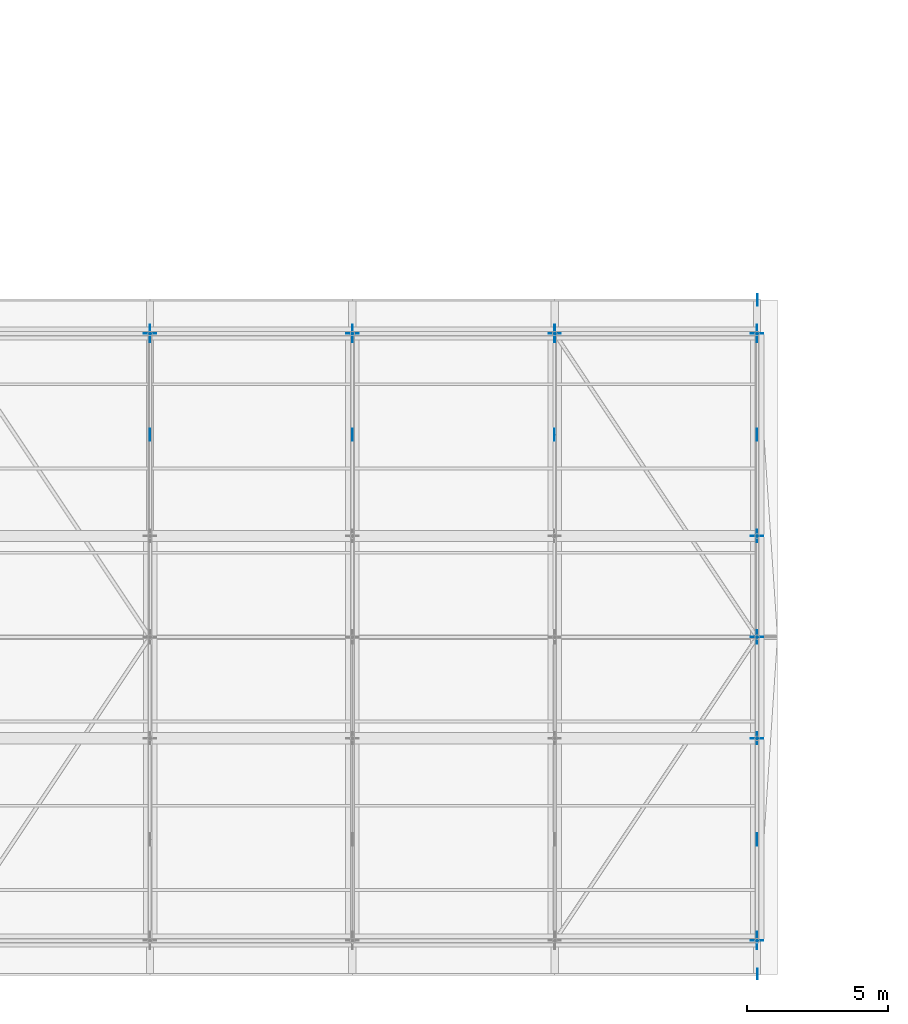
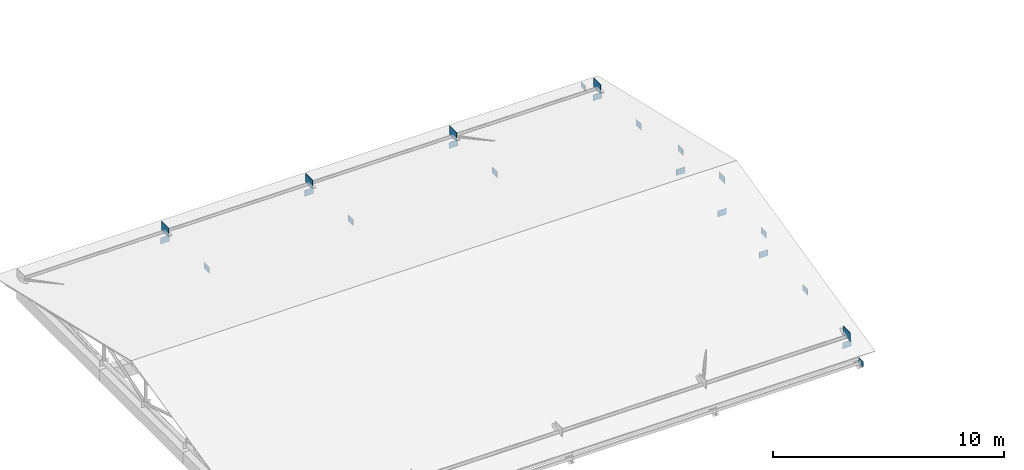
# One storey, part 66 of 84: 23 plates.
"""IFC4 building model written with IfcOpenShell, lengths in metres."""

from ifc_helpers import new_model, si_unit, direction, frame, origin, origin_2d, place, context, subcontext, project, spatial, rectangle, extrude, material, layer, layer_set, type_object, element, save


model = new_model("IFC4")

# Units and contexts
model_context = context("Model", 3, precision=1e-05, world=origin(), true_north=direction((0.0, 1.0)))
body_context = subcontext(model_context, "Body", "Model", "MODEL_VIEW")
ifc_project = project(units=[si_unit("LENGTHUNIT", "METRE"), si_unit("AREAUNIT", "SQUARE_METRE"), si_unit("VOLUMEUNIT", "CUBIC_METRE"), si_unit("PLANEANGLEUNIT", "RADIAN"), si_unit("MASSUNIT", "GRAM", prefix="KILO")], contexts=[model_context])

# Site, building, storey
site_placement = place(None, origin())
site = spatial("IfcSite", under=ifc_project, at=site_placement, CompositionType="ELEMENT")
building_placement = place(site_placement, origin())
building = spatial("IfcBuilding", under=site, at=building_placement, Name="Zornivar Specialist Clinic", CompositionType="ELEMENT")
storey_placement = place(building_placement, frame((0.0, 0.0, 12.300048828125)))
storey = spatial("IfcBuildingStorey", under=building, at=storey_placement, Name="L03", CompositionType="ELEMENT", Elevation=12.300048828125)

# Plates
ifc_material_1 = material(Name="Steel S355J2", Category="steel")
ifc_layer_1 = layer(ifc_material_1, 0.01611328125)
ifc_layer_set_1 = layer_set([ifc_layer_1], Name="Steel S355J2")
plate_type_1 = type_object("IfcPlateType", Name="PL-END-16", PredefinedType="USERDEFINED", material=ifc_layer_set_1)
for number, where, z_axis, x_axis, name in (
    (1, (86.407958984375, -1.199951171875, -0.43603515625), (0.0, 0.0, 1.0), (1.0, 0.0, 0.0), "plate:V3:L03:ecapE:00"),
    (2, (86.407958984375, 22.800048828125, -0.43603515625), (0.0, 0.0, 1.0), (1.0, 0.0, 0.0), "plate:V3:L03:ecapE:08"),
):
    element("IfcPlate", number, at=place(storey_placement, frame(where, z_axis=z_axis, x_axis=x_axis)), inside=storey, type_object=plate_type_1, Name=name, ObjectType="END PLATE", PredefinedType="USERDEFINED", context=body_context, shape_type="SweptSolid", body=[
        extrude(rectangle(XDim=0.01611328125, YDim=0.39990234375, at=origin_2d()), origin(), (0.0, 0.0, 1.0), 0.280029296875),
    ])
ifc_material_2 = material(Name="Steel S355J2", Category="steel")
ifc_layer_2 = layer(ifc_material_2, 0.02197265625)
ifc_layer_set_2 = layer_set([ifc_layer_2], Name="Steel S355J2")
plate_type_2 = type_object("IfcPlateType", Name="PL-GUSSET-HEEL-22", PredefinedType="USERDEFINED", material=ifc_layer_set_2)
for number, where, z_axis, x_axis, name in (
    (3, (64.800048828125, 21.60009765625, 0.27001953125), (0.0, 0.0, 1.0), (1.0, 0.0, 0.0), "plate:V3:L03:heel:1:N"),
    (4, (72.0, 21.60009765625, 0.27001953125), (0.0, 0.0, 1.0), (1.0, 0.0, 0.0), "plate:V3:L03:heel:2:N"),
    (5, (79.199951171875, 21.60009765625, 0.27001953125), (0.0, 0.0, 1.0), (1.0, 0.0, 0.0), "plate:V3:L03:heel:3:N"),
    (6, (86.39990234375, 0.0, 0.27001953125), (0.0, 0.0, 1.0), (1.0, 0.0, 0.0), "plate:V3:L03:heel:4:S"),
    (7, (86.39990234375, 21.60009765625, 0.27001953125), (0.0, 0.0, 1.0), (1.0, 0.0, 0.0), "plate:V3:L03:heel:4:N"),
):
    element("IfcPlate", number, at=place(storey_placement, frame(where, z_axis=z_axis, x_axis=x_axis)), inside=storey, type_object=plate_type_2, Name=name, ObjectType="GUSSET PLATE", PredefinedType="USERDEFINED", context=body_context, shape_type="SweptSolid", body=[
        extrude(rectangle(XDim=0.02197265625, YDim=0.6201171875, at=origin_2d()), origin(), (0.0, 0.0, 1.0), 0.43994140625),
    ])
ifc_material_3 = material(Name="Steel S355J2", Category="steel")
ifc_layer_3 = layer(ifc_material_3, 0.02001953125)
ifc_layer_set_3 = layer_set([ifc_layer_3], Name="Steel S355J2")
plate_type_3 = type_object("IfcPlateType", Name="PL-GUSSET-NODE-20", PredefinedType="USERDEFINED", material=ifc_layer_set_3)
plate_placement = place(storey_placement, frame((86.39990234375, 10.800048828125, 1.98974609375), z_axis=(0.0, 0.0, 1.0), x_axis=(1.0, 0.0, 0.0)))
element("IfcPlate", 8, at=plate_placement, inside=storey, type_object=plate_type_3, Name="plate:V3:L03:ridge:4", ObjectType="GUSSET PLATE", PredefinedType="USERDEFINED", context=body_context, shape_type="SweptSolid", body=[
    extrude(rectangle(XDim=0.02001953125, YDim=0.47998046875, at=origin_2d()), origin(), (0.0, 0.0, 1.0), 0.360107421875),
])
ifc_material_4 = material(Name="Steel S355J2", Category="steel")
ifc_layer_4 = layer(ifc_material_4, 0.01806640625)
ifc_layer_set_4 = layer_set([ifc_layer_4], Name="Steel S355J2")
plate_type_4 = type_object("IfcPlateType", Name="PL-GUSSET-V4-18", PredefinedType="USERDEFINED", material=ifc_layer_set_4)
for number, where, z_axis, x_axis, name in (
    (9, (64.800048828125, 21.60009765625, -0.240234375), (0.0, 0.0, 1.0), (1.0, 0.0, 0.0), "plate:bnode:L03:164"),
    (10, (64.800048828125, 18.0, 0.44970703125), (0.0, 0.0, 1.0), (0.0, 1.0, 0.0), "plate:bnode:L03:171"),
    (11, (72.0, 21.60009765625, -0.240234375), (0.0, 0.0, 1.0), (1.0, 0.0, 0.0), "plate:bnode:L03:173"),
    (12, (72.0, 18.0, 0.44970703125), (0.0, 0.0, 1.0), (0.0, 1.0, 0.0), "plate:bnode:L03:180"),
    (13, (79.199951171875, 21.60009765625, -0.240234375), (0.0, 0.0, 1.0), (1.0, 0.0, 0.0), "plate:bnode:L03:182"),
    (14, (79.199951171875, 18.0, 0.44970703125), (0.0, 0.0, 1.0), (0.0, 1.0, 0.0), "plate:bnode:L03:189"),
    (15, (86.39990234375, 0.0, -0.240234375), (0.0, 0.0, 1.0), (1.0, 0.0, 0.0), "plate:bnode:L03:190"),
    (16, (86.39990234375, 21.60009765625, -0.240234375), (0.0, 0.0, 1.0), (1.0, 0.0, 0.0), "plate:bnode:L03:191"),
    (17, (86.39990234375, 10.800048828125, 0.1796875), (0.0, 0.0, 1.0), (1.0, 0.0, 0.0), "plate:bnode:L03:192"),
    (18, (86.39990234375, 7.199951171875, 1.2900390625), (0.0, 0.0, 1.0), (0.0, 1.0, 0.0), "plate:bnode:L03:193"),
    (19, (86.39990234375, 7.199951171875, 0.1796875), (0.0, 0.0, 1.0), (1.0, 0.0, 0.0), "plate:bnode:L03:194"),
    (20, (86.39990234375, 3.60009765625, 0.44970703125), (0.0, 0.0, 1.0), (0.0, 1.0, 0.0), "plate:bnode:L03:195"),
    (21, (86.39990234375, 14.39990234375, 1.2900390625), (0.0, 0.0, 1.0), (0.0, 1.0, 0.0), "plate:bnode:L03:196"),
    (22, (86.39990234375, 14.39990234375, 0.1796875), (0.0, 0.0, 1.0), (1.0, 0.0, 0.0), "plate:bnode:L03:197"),
    (23, (86.39990234375, 18.0, 0.44970703125), (0.0, 0.0, 1.0), (0.0, 1.0, 0.0), "plate:bnode:L03:198"),
):
    element("IfcPlate", number, at=place(storey_placement, frame(where, z_axis=z_axis, x_axis=x_axis)), inside=storey, type_object=plate_type_4, Name=name, ObjectType="GUSSET PLATE", PredefinedType="USERDEFINED", context=body_context, shape_type="SweptSolid", body=[
        extrude(rectangle(XDim=0.43994140625, YDim=0.01806640625, at=origin_2d()), origin(), (0.0, 0.0, 1.0), 0.320068359375),
    ])

save(model, "model.ifc")
